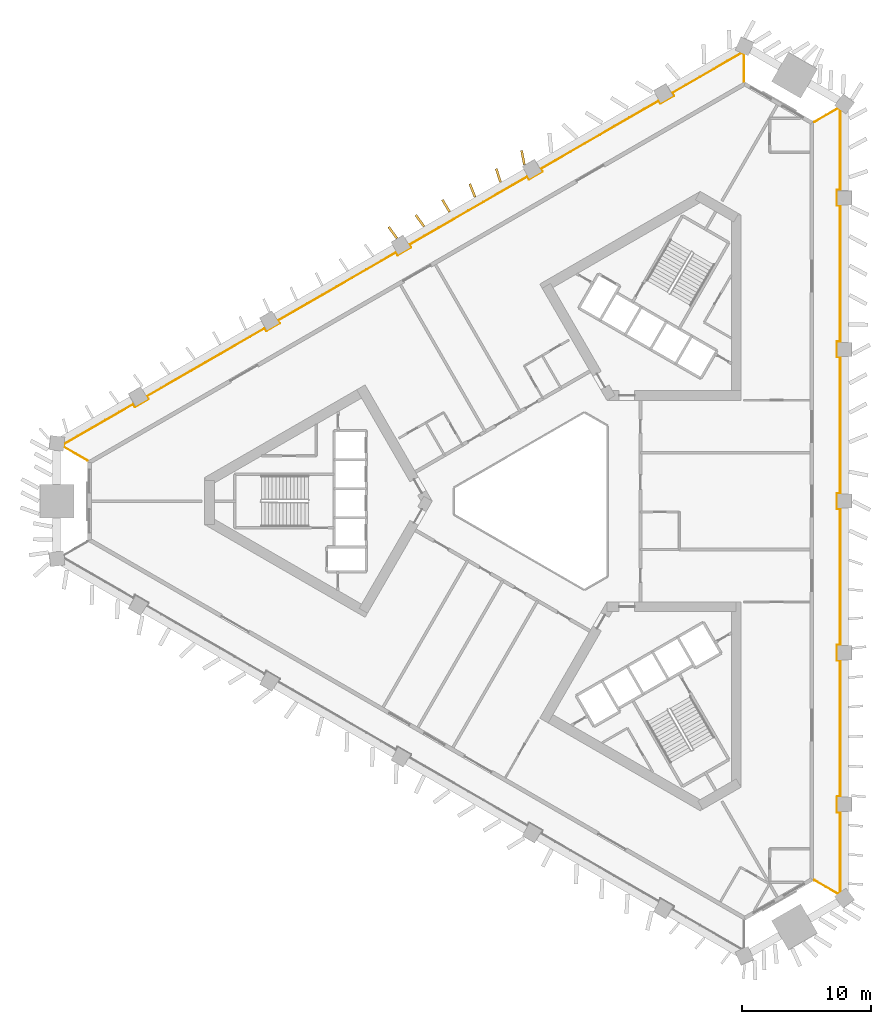
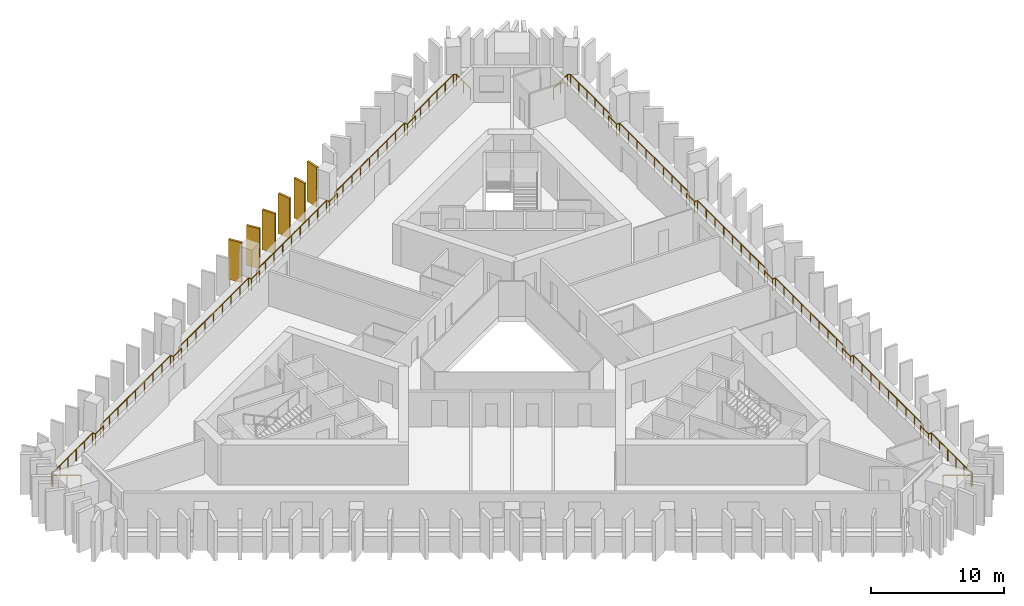
# One storey, part 9 of 10: 6 shading devices, 2 railings.
"""IFC4 building model written with IfcOpenShell, lengths in metres."""

from ifc_helpers import new_model, si_unit, direction, frame, frame_2d, origin, origin_2d, place, context, subcontext, project, spatial, rectangle, circle, extrude, material, layer, layer_set, type_object, element, save


model = new_model("IFC4")

# Units and contexts
model_context = context("Model", 3, precision=1e-05, world=origin(), true_north=direction((0.0, 1.0)))
body_context = subcontext(model_context, "Body", "Model", "MODEL_VIEW")
ifc_project = project(units=[si_unit("LENGTHUNIT", "METRE"), si_unit("AREAUNIT", "SQUARE_METRE"), si_unit("VOLUMEUNIT", "CUBIC_METRE"), si_unit("PLANEANGLEUNIT", "RADIAN"), si_unit("MASSUNIT", "GRAM", prefix="KILO")], contexts=[model_context])

# Site, building, storey
site_placement = place(None, origin())
site = spatial("IfcSite", under=ifc_project, at=site_placement, CompositionType="ELEMENT")
building_placement = place(site_placement, origin())
building = spatial("IfcBuilding", under=site, at=building_placement, Name="Jabali Bay Hotel Tower and Convention Centre", CompositionType="ELEMENT")
storey_placement = place(building_placement, frame((0.0, 0.0, 86.89990234375)))
storey = spatial("IfcBuildingStorey", under=building, at=storey_placement, Name="L20", CompositionType="ELEMENT", Elevation=86.89990234375)

# Railings
ifc_material_1 = material(Name="Glass", Category="glass")
railing_type = type_object("IfcRailingType", Name="Loggia glass guard 1100", PredefinedType="BALUSTRADE", material=ifc_material_1)
railing_1_placement = place(storey_placement, frame((95.55126953125, 109.31884765625, 0.0)))
element("IfcRailing", 1, at=railing_1_placement, inside=storey, type_object=railing_type, Name="Loggia glass guard L20", PredefinedType="BALUSTRADE", context=body_context, shape_type="SweptSolid", body=[
    extrude(circle(Radius=0.02490234375, at=origin_2d()), frame((0.0, 0.0, 1.0751953125), z_axis=(0.86605653045, 0.499946083158, 0.0), x_axis=(-0.495668975111, 0.858647296774, 0.13052619222)), (0.0, 0.0, 1.0), 2.110595703125),
    extrude(circle(Radius=0.02490234375, at=origin_2d()), frame((1.827880859375, 1.05517578125, 1.0751953125), z_axis=(0.80204311034, -0.597266145998, 0.0), x_axis=(0.592156451322, 0.795181520347, 0.13052619222)), (0.0, 0.0, 1.0), 0.214599609375),
    extrude(circle(Radius=0.02490234375, at=origin_2d()), frame((2.0, 0.927001953125, 1.0751953125), z_axis=(0.0, -1.0, 0.0), x_axis=(0.991444861374, 0.0, 0.13052619222)), (0.0, 0.0, 1.0), 6.179443359375),
    extrude(circle(Radius=0.02490234375, at=origin_2d()), frame((2.0, -5.25244140625, 1.0751953125), z_axis=(-1.0, 0.0, 0.0), x_axis=(0.0, -0.991444861374, 0.13052619222)), (0.0, 0.0, 1.0), 0.25),
    extrude(circle(Radius=0.02490234375, at=origin_2d()), frame((1.75, -5.25244140625, 1.0751953125), z_axis=(0.0, -1.0, 0.0), x_axis=(0.991444861374, 0.0, 0.13052619222)), (0.0, 0.0, 1.0), 1.199951171875),
    extrude(circle(Radius=0.02490234375, at=origin_2d()), frame((1.75, -6.452392578125, 1.0751953125), z_axis=(1.0, 0.0, 0.0), x_axis=(0.0, 0.991444861374, 0.13052619222)), (0.0, 0.0, 1.0), 0.25),
    extrude(circle(Radius=0.02490234375, at=origin_2d()), frame((2.0, -6.452392578125, 1.0751953125), z_axis=(0.0, -1.0, 0.0), x_axis=(0.991444861374, 0.0, 0.13052619222)), (0.0, 0.0, 1.0), 10.533203125),
    extrude(circle(Radius=0.02490234375, at=origin_2d()), frame((2.0, -16.985595703125, 1.0751953125), z_axis=(-1.0, 0.0, 0.0), x_axis=(0.0, -0.991444861374, 0.13052619222)), (0.0, 0.0, 1.0), 0.25),
    extrude(circle(Radius=0.02490234375, at=origin_2d()), frame((1.75, -16.985595703125, 1.0751953125), z_axis=(0.0, -1.0, 0.0), x_axis=(0.991444861374, 0.0, 0.13052619222)), (0.0, 0.0, 1.0), 1.199951171875),
    extrude(circle(Radius=0.02490234375, at=origin_2d()), frame((1.75, -18.185546875, 1.0751953125), z_axis=(1.0, 0.0, 0.0), x_axis=(0.0, 0.991444861374, 0.13052619222)), (0.0, 0.0, 1.0), 0.25),
    extrude(circle(Radius=0.02490234375, at=origin_2d()), frame((2.0, -18.185546875, 1.0751953125), z_axis=(0.0, -1.0, 0.0), x_axis=(0.991444861374, 0.0, 0.13052619222)), (0.0, 0.0, 1.0), 10.533203125),
    extrude(circle(Radius=0.02490234375, at=origin_2d()), frame((2.0, -28.71875, 1.0751953125), z_axis=(-1.0, 0.0, 0.0), x_axis=(0.0, -0.991444861374, 0.13052619222)), (0.0, 0.0, 1.0), 0.25),
    extrude(circle(Radius=0.02490234375, at=origin_2d()), frame((1.75, -28.71875, 1.0751953125), z_axis=(0.0, -1.0, 0.0), x_axis=(0.991444861374, 0.0, 0.13052619222)), (0.0, 0.0, 1.0), 1.2001953125),
    extrude(circle(Radius=0.02490234375, at=origin_2d()), frame((1.75, -29.9189453125, 1.0751953125), z_axis=(1.0, 0.0, 0.0), x_axis=(0.0, 0.991444861374, 0.13052619222)), (0.0, 0.0, 1.0), 0.25),
    extrude(circle(Radius=0.02490234375, at=origin_2d()), frame((2.0, -29.9189453125, 1.0751953125), z_axis=(0.0, -1.0, 0.0), x_axis=(0.991444861374, 0.0, 0.13052619222)), (0.0, 0.0, 1.0), 10.533203125),
    extrude(circle(Radius=0.02490234375, at=origin_2d()), frame((2.0, -40.4521484375, 1.0751953125), z_axis=(-1.0, 0.0, 0.0), x_axis=(0.0, -0.991444861374, 0.13052619222)), (0.0, 0.0, 1.0), 0.25),
    extrude(circle(Radius=0.02490234375, at=origin_2d()), frame((1.75, -40.4521484375, 1.0751953125), z_axis=(0.0, -1.0, 0.0), x_axis=(0.991444861374, 0.0, 0.13052619222)), (0.0, 0.0, 1.0), 1.199951171875),
    extrude(circle(Radius=0.02490234375, at=origin_2d()), frame((1.75, -41.652099609375, 1.0751953125), z_axis=(1.0, 0.0, 0.0), x_axis=(0.0, 0.991444861374, 0.13052619222)), (0.0, 0.0, 1.0), 0.25),
    extrude(circle(Radius=0.02490234375, at=origin_2d()), frame((2.0, -41.652099609375, 1.0751953125), z_axis=(0.0, -1.0, 0.0), x_axis=(0.991444861374, 0.0, 0.13052619222)), (0.0, 0.0, 1.0), 10.533203125),
    extrude(circle(Radius=0.02490234375, at=origin_2d()), frame((2.0, -52.185302734375, 1.0751953125), z_axis=(-1.0, 0.0, 0.0), x_axis=(0.0, -0.991444861374, 0.13052619222)), (0.0, 0.0, 1.0), 0.25),
    extrude(circle(Radius=0.02490234375, at=origin_2d()), frame((1.75, -52.185302734375, 1.0751953125), z_axis=(0.0, -1.0, 0.0), x_axis=(0.991444861374, 0.0, 0.13052619222)), (0.0, 0.0, 1.0), 1.199951171875),
    extrude(circle(Radius=0.02490234375, at=origin_2d()), frame((1.75, -53.38525390625, 1.0751953125), z_axis=(1.0, 0.0, 0.0), x_axis=(0.0, 0.991444861374, 0.13052619222)), (0.0, 0.0, 1.0), 0.25),
    extrude(circle(Radius=0.02490234375, at=origin_2d()), frame((2.0, -53.38525390625, 1.0751953125), z_axis=(0.0, -1.0, 0.0), x_axis=(0.991444861374, 0.0, 0.13052619222)), (0.0, 0.0, 1.0), 6.179443359375),
    extrude(circle(Radius=0.02490234375, at=origin_2d()), frame((2.0, -59.564697265625, 1.0751953125), z_axis=(-0.80204311034, -0.597266145998, 0.0), x_axis=(0.592156451322, -0.795181520347, 0.13052619222)), (0.0, 0.0, 1.0), 0.214599609375),
    extrude(circle(Radius=0.02490234375, at=origin_2d()), frame((1.827880859375, -59.69287109375, 1.0751953125), z_axis=(-0.86605653045, 0.499946083158, 0.0), x_axis=(-0.495668975111, -0.858647296774, 0.13052619222)), (0.0, 0.0, 1.0), 2.110595703125),
    extrude(circle(Radius=0.02001953125, at=origin_2d()), origin(), (0.0, 0.0, 1.0), 1.050048828125),
    extrude(circle(Radius=0.02001953125, at=origin_2d()), frame((0.9140625, 0.527587890625, 0.0)), (0.0, 0.0, 1.0), 1.050048828125),
    extrude(circle(Radius=0.02001953125, at=origin_2d()), frame((1.827880859375, 1.05517578125, 0.0)), (0.0, 0.0, 1.0), 1.050048828125),
    extrude(circle(Radius=0.02001953125, at=origin_2d()), frame((2.0, 0.927001953125, 0.0)), (0.0, 0.0, 1.0), 1.050048828125),
    extrude(circle(Radius=0.02001953125, at=origin_2d()), frame((2.0, -0.308837890625, 0.0)), (0.0, 0.0, 1.0), 1.050048828125),
    extrude(circle(Radius=0.02001953125, at=origin_2d()), frame((2.0, -1.544677734375, 0.0)), (0.0, 0.0, 1.0), 1.050048828125),
    extrude(circle(Radius=0.02001953125, at=origin_2d()), frame((2.0, -2.78076171875, 0.0)), (0.0, 0.0, 1.0), 1.050048828125),
    extrude(circle(Radius=0.02001953125, at=origin_2d()), frame((2.0, -4.0166015625, 0.0)), (0.0, 0.0, 1.0), 1.050048828125),
    extrude(circle(Radius=0.02001953125, at=origin_2d()), frame((2.0, -5.25244140625, 0.0)), (0.0, 0.0, 1.0), 1.050048828125),
    extrude(circle(Radius=0.02001953125, at=origin_2d()), frame((1.75, -5.25244140625, 0.0)), (0.0, 0.0, 1.0), 1.050048828125),
    extrude(circle(Radius=0.02001953125, at=origin_2d()), frame((1.75, -6.452392578125, 0.0)), (0.0, 0.0, 1.0), 1.050048828125),
    extrude(circle(Radius=0.02001953125, at=origin_2d()), frame((2.0, -6.452392578125, 0.0)), (0.0, 0.0, 1.0), 1.050048828125),
    extrude(circle(Radius=0.02001953125, at=origin_2d()), frame((2.0, -7.76904296875, 0.0)), (0.0, 0.0, 1.0), 1.050048828125),
    extrude(circle(Radius=0.02001953125, at=origin_2d()), frame((2.0, -9.085693359375, 0.0)), (0.0, 0.0, 1.0), 1.050048828125),
    extrude(circle(Radius=0.02001953125, at=origin_2d()), frame((2.0, -10.40234375, 0.0)), (0.0, 0.0, 1.0), 1.050048828125),
    extrude(circle(Radius=0.02001953125, at=origin_2d()), frame((2.0, -11.718994140625, 0.0)), (0.0, 0.0, 1.0), 1.050048828125),
    extrude(circle(Radius=0.02001953125, at=origin_2d()), frame((2.0, -13.03564453125, 0.0)), (0.0, 0.0, 1.0), 1.050048828125),
    extrude(circle(Radius=0.02001953125, at=origin_2d()), frame((2.0, -14.352294921875, 0.0)), (0.0, 0.0, 1.0), 1.050048828125),
    extrude(circle(Radius=0.02001953125, at=origin_2d()), frame((2.0, -15.6689453125, 0.0)), (0.0, 0.0, 1.0), 1.050048828125),
    extrude(circle(Radius=0.02001953125, at=origin_2d()), frame((2.0, -16.985595703125, 0.0)), (0.0, 0.0, 1.0), 1.050048828125),
    extrude(circle(Radius=0.02001953125, at=origin_2d()), frame((1.75, -16.985595703125, 0.0)), (0.0, 0.0, 1.0), 1.050048828125),
    extrude(circle(Radius=0.02001953125, at=origin_2d()), frame((1.75, -18.185546875, 0.0)), (0.0, 0.0, 1.0), 1.050048828125),
    extrude(circle(Radius=0.02001953125, at=origin_2d()), frame((2.0, -18.185546875, 0.0)), (0.0, 0.0, 1.0), 1.050048828125),
    extrude(circle(Radius=0.02001953125, at=origin_2d()), frame((2.0, -19.502197265625, 0.0)), (0.0, 0.0, 1.0), 1.050048828125),
    extrude(circle(Radius=0.02001953125, at=origin_2d()), frame((2.0, -20.81884765625, 0.0)), (0.0, 0.0, 1.0), 1.050048828125),
    extrude(circle(Radius=0.02001953125, at=origin_2d()), frame((2.0, -22.135498046875, 0.0)), (0.0, 0.0, 1.0), 1.050048828125),
    extrude(circle(Radius=0.02001953125, at=origin_2d()), frame((2.0, -23.4521484375, 0.0)), (0.0, 0.0, 1.0), 1.050048828125),
    extrude(circle(Radius=0.02001953125, at=origin_2d()), frame((2.0, -24.768798828125, 0.0)), (0.0, 0.0, 1.0), 1.050048828125),
    extrude(circle(Radius=0.02001953125, at=origin_2d()), frame((2.0, -26.08544921875, 0.0)), (0.0, 0.0, 1.0), 1.050048828125),
    extrude(circle(Radius=0.02001953125, at=origin_2d()), frame((2.0, -27.402099609375, 0.0)), (0.0, 0.0, 1.0), 1.050048828125),
    extrude(circle(Radius=0.02001953125, at=origin_2d()), frame((2.0, -28.71875, 0.0)), (0.0, 0.0, 1.0), 1.050048828125),
    extrude(circle(Radius=0.02001953125, at=origin_2d()), frame((1.75, -28.71875, 0.0)), (0.0, 0.0, 1.0), 1.050048828125),
    extrude(circle(Radius=0.02001953125, at=origin_2d()), frame((1.75, -29.9189453125, 0.0)), (0.0, 0.0, 1.0), 1.050048828125),
    extrude(circle(Radius=0.02001953125, at=origin_2d()), frame((2.0, -29.9189453125, 0.0)), (0.0, 0.0, 1.0), 1.050048828125),
    extrude(circle(Radius=0.02001953125, at=origin_2d()), frame((2.0, -31.235595703125, 0.0)), (0.0, 0.0, 1.0), 1.050048828125),
    extrude(circle(Radius=0.02001953125, at=origin_2d()), frame((2.0, -32.55224609375, 0.0)), (0.0, 0.0, 1.0), 1.050048828125),
    extrude(circle(Radius=0.02001953125, at=origin_2d()), frame((2.0, -33.868896484375, 0.0)), (0.0, 0.0, 1.0), 1.050048828125),
    extrude(circle(Radius=0.02001953125, at=origin_2d()), frame((2.0, -35.185546875, 0.0)), (0.0, 0.0, 1.0), 1.050048828125),
    extrude(circle(Radius=0.02001953125, at=origin_2d()), frame((2.0, -36.502197265625, 0.0)), (0.0, 0.0, 1.0), 1.050048828125),
    extrude(circle(Radius=0.02001953125, at=origin_2d()), frame((2.0, -37.81884765625, 0.0)), (0.0, 0.0, 1.0), 1.050048828125),
    extrude(circle(Radius=0.02001953125, at=origin_2d()), frame((2.0, -39.135498046875, 0.0)), (0.0, 0.0, 1.0), 1.050048828125),
    extrude(circle(Radius=0.02001953125, at=origin_2d()), frame((2.0, -40.4521484375, 0.0)), (0.0, 0.0, 1.0), 1.050048828125),
    extrude(circle(Radius=0.02001953125, at=origin_2d()), frame((1.75, -40.4521484375, 0.0)), (0.0, 0.0, 1.0), 1.050048828125),
    extrude(circle(Radius=0.02001953125, at=origin_2d()), frame((1.75, -41.652099609375, 0.0)), (0.0, 0.0, 1.0), 1.050048828125),
    extrude(circle(Radius=0.02001953125, at=origin_2d()), frame((2.0, -41.652099609375, 0.0)), (0.0, 0.0, 1.0), 1.050048828125),
    extrude(circle(Radius=0.02001953125, at=origin_2d()), frame((2.0, -42.96875, 0.0)), (0.0, 0.0, 1.0), 1.050048828125),
    extrude(circle(Radius=0.02001953125, at=origin_2d()), frame((2.0, -44.285400390625, 0.0)), (0.0, 0.0, 1.0), 1.050048828125),
    extrude(circle(Radius=0.02001953125, at=origin_2d()), frame((2.0, -45.60205078125, 0.0)), (0.0, 0.0, 1.0), 1.050048828125),
    extrude(circle(Radius=0.02001953125, at=origin_2d()), frame((2.0, -46.918701171875, 0.0)), (0.0, 0.0, 1.0), 1.050048828125),
    extrude(circle(Radius=0.02001953125, at=origin_2d()), frame((2.0, -48.2353515625, 0.0)), (0.0, 0.0, 1.0), 1.050048828125),
    extrude(circle(Radius=0.02001953125, at=origin_2d()), frame((2.0, -49.552001953125, 0.0)), (0.0, 0.0, 1.0), 1.050048828125),
    extrude(circle(Radius=0.02001953125, at=origin_2d()), frame((2.0, -50.86865234375, 0.0)), (0.0, 0.0, 1.0), 1.050048828125),
    extrude(circle(Radius=0.02001953125, at=origin_2d()), frame((2.0, -52.185302734375, 0.0)), (0.0, 0.0, 1.0), 1.050048828125),
    extrude(circle(Radius=0.02001953125, at=origin_2d()), frame((1.75, -52.185302734375, 0.0)), (0.0, 0.0, 1.0), 1.050048828125),
    extrude(circle(Radius=0.02001953125, at=origin_2d()), frame((1.75, -53.38525390625, 0.0)), (0.0, 0.0, 1.0), 1.050048828125),
    extrude(circle(Radius=0.02001953125, at=origin_2d()), frame((2.0, -53.38525390625, 0.0)), (0.0, 0.0, 1.0), 1.050048828125),
    extrude(circle(Radius=0.02001953125, at=origin_2d()), frame((2.0, -54.62109375, 0.0)), (0.0, 0.0, 1.0), 1.050048828125),
    extrude(circle(Radius=0.02001953125, at=origin_2d()), frame((2.0, -55.85693359375, 0.0)), (0.0, 0.0, 1.0), 1.050048828125),
    extrude(circle(Radius=0.02001953125, at=origin_2d()), frame((2.0, -57.093017578125, 0.0)), (0.0, 0.0, 1.0), 1.050048828125),
    extrude(circle(Radius=0.02001953125, at=origin_2d()), frame((2.0, -58.328857421875, 0.0)), (0.0, 0.0, 1.0), 1.050048828125),
    extrude(circle(Radius=0.02001953125, at=origin_2d()), frame((2.0, -59.564697265625, 0.0)), (0.0, 0.0, 1.0), 1.050048828125),
    extrude(circle(Radius=0.02001953125, at=origin_2d()), frame((1.827880859375, -59.69287109375, 0.0)), (0.0, 0.0, 1.0), 1.050048828125),
    extrude(circle(Radius=0.02001953125, at=origin_2d()), frame((0.9140625, -59.165283203125, 0.0)), (0.0, 0.0, 1.0), 1.050048828125),
    extrude(circle(Radius=0.02001953125, at=origin_2d()), frame((0.0, -58.6376953125, 0.0)), (0.0, 0.0, 1.0), 1.050048828125),
])
railing_2_placement = place(storey_placement, frame((39.33349609375, 83.138427734375, 0.0)))
element("IfcRailing", 2, at=railing_2_placement, inside=storey, type_object=railing_type, Name="Loggia glass guard L20", PredefinedType="BALUSTRADE", context=body_context, shape_type="SweptSolid", body=[
    extrude(circle(Radius=0.02490234375, at=origin_2d()), frame((0.0, 0.0, 1.0751953125), z_axis=(-0.866006443985, 0.500032837899, 0.0), x_axis=(-0.495754987653, -0.858597638805, 0.13052619222)), (0.0, 0.0, 1.0), 2.110595703125),
    extrude(circle(Radius=0.02490234375, at=origin_2d()), frame((-1.827880859375, 1.055419921875, 1.0751953125), z_axis=(0.117171257249, 0.993111724065, 0.0), x_axis=(-0.984615515594, 0.116168840901, 0.13052619222)), (0.0, 0.0, 1.0), 0.214599609375),
    extrude(circle(Radius=0.02490234375, at=origin_2d()), frame((-1.802734375, 1.2685546875, 1.0751953125), z_axis=(0.866007278059, 0.500031393363, 0.0), x_axis=(-0.495753555475, 0.858598465744, 0.13052619222)), (0.0, 0.0, 1.0), 6.17919921875),
    extrude(circle(Radius=0.02490234375, at=origin_2d()), frame((3.548583984375, 4.3583984375, 1.0751953125), z_axis=(0.499919672301, -0.866071776036, 0.0), x_axis=(0.858662411932, 0.495642790202, 0.13052619222)), (0.0, 0.0, 1.0), 0.25),
    extrude(circle(Radius=0.02490234375, at=origin_2d()), frame((3.673583984375, 4.141845703125, 1.0751953125), z_axis=(0.866094119867, 0.499880961361, 0.0), x_axis=(-0.49560441044, 0.858684564609, 0.13052619222)), (0.0, 0.0, 1.0), 1.199951171875),
    extrude(circle(Radius=0.02490234375, at=origin_2d()), frame((4.712890625, 4.74169921875, 1.0751953125), z_axis=(-0.499919672301, 0.866071776036, 0.0), x_axis=(-0.858662411932, -0.495642790202, 0.13052619222)), (0.0, 0.0, 1.0), 0.25),
    extrude(circle(Radius=0.02490234375, at=origin_2d()), frame((4.587890625, 4.958251953125, 1.0751953125), z_axis=(0.866026562566, 0.499997992926, 0.0), x_axis=(-0.495720440783, 0.858617585269, 0.13052619222)), (0.0, 0.0, 1.0), 10.533203125),
    extrude(circle(Radius=0.02490234375, at=origin_2d()), frame((13.7099609375, 10.224853515625, 1.0751953125), z_axis=(0.499919672301, -0.866071776036, 0.0), x_axis=(0.858662411932, 0.495642790202, 0.13052619222)), (0.0, 0.0, 1.0), 0.25),
    extrude(circle(Radius=0.02490234375, at=origin_2d()), frame((13.8349609375, 10.00830078125, 1.0751953125), z_axis=(0.866006032174, 0.500033551112, 0.0), x_axis=(-0.495755694765, 0.858597230518, 0.13052619222)), (0.0, 0.0, 1.0), 1.2001953125),
    extrude(circle(Radius=0.02490234375, at=origin_2d()), frame((14.874267578125, 10.6083984375, 1.0751953125), z_axis=(-0.499919672301, 0.866071776036, 0.0), x_axis=(-0.858662411932, -0.495642790202, 0.13052619222)), (0.0, 0.0, 1.0), 0.25),
    extrude(circle(Radius=0.02490234375, at=origin_2d()), frame((14.749267578125, 10.824951171875, 1.0751953125), z_axis=(0.866026562566, 0.499997992926, 0.0), x_axis=(-0.495720440783, 0.858617585269, 0.13052619222)), (0.0, 0.0, 1.0), 10.533203125),
    extrude(circle(Radius=0.02490234375, at=origin_2d()), frame((23.871337890625, 16.091552734375, 1.0751953125), z_axis=(0.499919672301, -0.866071776036, 0.0), x_axis=(0.858662411932, 0.495642790202, 0.13052619222)), (0.0, 0.0, 1.0), 0.25),
    extrude(circle(Radius=0.02490234375, at=origin_2d()), frame((23.996337890625, 15.875, 1.0751953125), z_axis=(0.865955154139, 0.50012165622, 0.0), x_axis=(-0.495843046121, 0.858546787751, 0.13052619222)), (0.0, 0.0, 1.0), 1.199951171875),
    extrude(circle(Radius=0.02490234375, at=origin_2d()), frame((25.035400390625, 16.47509765625, 1.0751953125), z_axis=(-0.500342721131, 0.865827443207, 0.0), x_axis=(-0.858420169404, -0.496062219791, 0.13052619222)), (0.0, 0.0, 1.0), 0.249755859375),
    extrude(circle(Radius=0.02490234375, at=origin_2d()), frame((24.910400390625, 16.69140625, 1.0751953125), z_axis=(0.866016526123, 0.500015376246, 0.0), x_axis=(-0.495737675387, 0.858607634689, 0.13052619222)), (0.0, 0.0, 1.0), 10.533447265625),
    extrude(circle(Radius=0.02490234375, at=origin_2d()), frame((34.032470703125, 21.958251953125, 1.0751953125), z_axis=(0.499919672301, -0.866071776036, 0.0), x_axis=(0.858662411932, 0.495642790202, 0.13052619222)), (0.0, 0.0, 1.0), 0.25),
    extrude(circle(Radius=0.02490234375, at=origin_2d()), frame((34.157470703125, 21.74169921875, 1.0751953125), z_axis=(0.866094119867, 0.499880961361, 0.0), x_axis=(-0.49560441044, 0.858684564609, 0.13052619222)), (0.0, 0.0, 1.0), 1.199951171875),
    extrude(circle(Radius=0.02490234375, at=origin_2d()), frame((35.19677734375, 22.341552734375, 1.0751953125), z_axis=(-0.499919672301, 0.866071776036, 0.0), x_axis=(-0.858662411932, -0.495642790202, 0.13052619222)), (0.0, 0.0, 1.0), 0.25),
    extrude(circle(Radius=0.02490234375, at=origin_2d()), frame((35.07177734375, 22.55810546875, 1.0751953125), z_axis=(0.866026562566, 0.499997992926, 0.0), x_axis=(-0.495720440783, 0.858617585269, 0.13052619222)), (0.0, 0.0, 1.0), 10.533203125),
    extrude(circle(Radius=0.02490234375, at=origin_2d()), frame((44.19384765625, 27.82470703125, 1.0751953125), z_axis=(0.499919672301, -0.866071776036, 0.0), x_axis=(0.858662411932, 0.495642790202, 0.13052619222)), (0.0, 0.0, 1.0), 0.25),
    extrude(circle(Radius=0.02490234375, at=origin_2d()), frame((44.31884765625, 27.608154296875, 1.0751953125), z_axis=(0.866006032174, 0.500033551112, 0.0), x_axis=(-0.495755694765, 0.858597230518, 0.13052619222)), (0.0, 0.0, 1.0), 1.2001953125),
    extrude(circle(Radius=0.02490234375, at=origin_2d()), frame((45.358154296875, 28.208251953125, 1.0751953125), z_axis=(-0.499919672301, 0.866071776036, 0.0), x_axis=(-0.858662411932, -0.495642790202, 0.13052619222)), (0.0, 0.0, 1.0), 0.25),
    extrude(circle(Radius=0.02490234375, at=origin_2d()), frame((45.233154296875, 28.4248046875, 1.0751953125), z_axis=(0.866024386693, 0.50000176165, 0.0), x_axis=(-0.495724177266, 0.858615428011, 0.13052619222)), (0.0, 0.0, 1.0), 6.17919921875),
    extrude(circle(Radius=0.02490234375, at=origin_2d()), frame((50.58447265625, 31.514404296875, 1.0751953125), z_axis=(0.918438029816, -0.395564894029, 0.0), x_axis=(0.392180781525, 0.910580665151, 0.13052619222)), (0.0, 0.0, 1.0), 0.21484375),
    extrude(circle(Radius=0.02490234375, at=origin_2d()), frame((50.78173828125, 31.429443359375, 1.0751953125), z_axis=(0.0, -1.0, 0.0), x_axis=(0.991444861374, 0.0, 0.13052619222)), (0.0, 0.0, 1.0), 2.110595703125),
    extrude(circle(Radius=0.02001953125, at=origin_2d()), origin(), (0.0, 0.0, 1.0), 1.050048828125),
    extrude(circle(Radius=0.02001953125, at=origin_2d()), frame((-0.9140625, 0.52783203125, 0.0)), (0.0, 0.0, 1.0), 1.050048828125),
    extrude(circle(Radius=0.02001953125, at=origin_2d()), frame((-1.827880859375, 1.055419921875, 0.0)), (0.0, 0.0, 1.0), 1.050048828125),
    extrude(circle(Radius=0.02001953125, at=origin_2d()), frame((-1.802734375, 1.2685546875, 0.0)), (0.0, 0.0, 1.0), 1.050048828125),
    extrude(circle(Radius=0.02001953125, at=origin_2d()), frame((-0.732421875, 1.886474609375, 0.0)), (0.0, 0.0, 1.0), 1.050048828125),
    extrude(circle(Radius=0.02001953125, at=origin_2d()), frame((0.337890625, 2.50439453125, 0.0)), (0.0, 0.0, 1.0), 1.050048828125),
    extrude(circle(Radius=0.02001953125, at=origin_2d()), frame((1.407958984375, 3.12255859375, 0.0)), (0.0, 0.0, 1.0), 1.050048828125),
    extrude(circle(Radius=0.02001953125, at=origin_2d()), frame((2.478271484375, 3.740478515625, 0.0)), (0.0, 0.0, 1.0), 1.050048828125),
    extrude(circle(Radius=0.02001953125, at=origin_2d()), frame((3.548583984375, 4.3583984375, 0.0)), (0.0, 0.0, 1.0), 1.050048828125),
    extrude(circle(Radius=0.02001953125, at=origin_2d()), frame((3.673583984375, 4.141845703125, 0.0)), (0.0, 0.0, 1.0), 1.050048828125),
    extrude(circle(Radius=0.02001953125, at=origin_2d()), frame((4.712890625, 4.74169921875, 0.0)), (0.0, 0.0, 1.0), 1.050048828125),
    extrude(circle(Radius=0.02001953125, at=origin_2d()), frame((4.587890625, 4.958251953125, 0.0)), (0.0, 0.0, 1.0), 1.050048828125),
    extrude(circle(Radius=0.02001953125, at=origin_2d()), frame((5.72802734375, 5.61669921875, 0.0)), (0.0, 0.0, 1.0), 1.050048828125),
    extrude(circle(Radius=0.02001953125, at=origin_2d()), frame((6.868408203125, 6.27490234375, 0.0)), (0.0, 0.0, 1.0), 1.050048828125),
    extrude(circle(Radius=0.02001953125, at=origin_2d()), frame((8.0087890625, 6.93310546875, 0.0)), (0.0, 0.0, 1.0), 1.050048828125),
    extrude(circle(Radius=0.02001953125, at=origin_2d()), frame((9.14892578125, 7.591552734375, 0.0)), (0.0, 0.0, 1.0), 1.050048828125),
    extrude(circle(Radius=0.02001953125, at=origin_2d()), frame((10.2890625, 8.25, 0.0)), (0.0, 0.0, 1.0), 1.050048828125),
    extrude(circle(Radius=0.02001953125, at=origin_2d()), frame((11.429443359375, 8.908203125, 0.0)), (0.0, 0.0, 1.0), 1.050048828125),
    extrude(circle(Radius=0.02001953125, at=origin_2d()), frame((12.56982421875, 9.56640625, 0.0)), (0.0, 0.0, 1.0), 1.050048828125),
    extrude(circle(Radius=0.02001953125, at=origin_2d()), frame((13.7099609375, 10.224853515625, 0.0)), (0.0, 0.0, 1.0), 1.050048828125),
    extrude(circle(Radius=0.02001953125, at=origin_2d()), frame((13.8349609375, 10.00830078125, 0.0)), (0.0, 0.0, 1.0), 1.050048828125),
    extrude(circle(Radius=0.02001953125, at=origin_2d()), frame((14.874267578125, 10.6083984375, 0.0)), (0.0, 0.0, 1.0), 1.050048828125),
    extrude(circle(Radius=0.02001953125, at=origin_2d()), frame((14.749267578125, 10.824951171875, 0.0)), (0.0, 0.0, 1.0), 1.050048828125),
    extrude(circle(Radius=0.02001953125, at=origin_2d()), frame((15.8896484375, 11.4833984375, 0.0)), (0.0, 0.0, 1.0), 1.050048828125),
    extrude(circle(Radius=0.02001953125, at=origin_2d()), frame((17.02978515625, 12.1416015625, 0.0)), (0.0, 0.0, 1.0), 1.050048828125),
    extrude(circle(Radius=0.02001953125, at=origin_2d()), frame((18.169921875, 12.7998046875, 0.0)), (0.0, 0.0, 1.0), 1.050048828125),
    extrude(circle(Radius=0.02001953125, at=origin_2d()), frame((19.310302734375, 13.458251953125, 0.0)), (0.0, 0.0, 1.0), 1.050048828125),
    extrude(circle(Radius=0.02001953125, at=origin_2d()), frame((20.45068359375, 14.11669921875, 0.0)), (0.0, 0.0, 1.0), 1.050048828125),
    extrude(circle(Radius=0.02001953125, at=origin_2d()), frame((21.5908203125, 14.77490234375, 0.0)), (0.0, 0.0, 1.0), 1.050048828125),
    extrude(circle(Radius=0.02001953125, at=origin_2d()), frame((22.73095703125, 15.43310546875, 0.0)), (0.0, 0.0, 1.0), 1.050048828125),
    extrude(circle(Radius=0.02001953125, at=origin_2d()), frame((23.871337890625, 16.091552734375, 0.0)), (0.0, 0.0, 1.0), 1.050048828125),
    extrude(circle(Radius=0.02001953125, at=origin_2d()), frame((23.996337890625, 15.875, 0.0)), (0.0, 0.0, 1.0), 1.050048828125),
    extrude(circle(Radius=0.02001953125, at=origin_2d()), frame((25.035400390625, 16.47509765625, 0.0)), (0.0, 0.0, 1.0), 1.050048828125),
    extrude(circle(Radius=0.02001953125, at=origin_2d()), frame((24.910400390625, 16.69140625, 0.0)), (0.0, 0.0, 1.0), 1.050048828125),
    extrude(circle(Radius=0.02001953125, at=origin_2d()), frame((26.05078125, 17.349853515625, 0.0)), (0.0, 0.0, 1.0), 1.050048828125),
    extrude(circle(Radius=0.02001953125, at=origin_2d()), frame((27.19091796875, 18.008056640625, 0.0)), (0.0, 0.0, 1.0), 1.050048828125),
    extrude(circle(Radius=0.02001953125, at=origin_2d()), frame((28.3310546875, 18.66650390625, 0.0)), (0.0, 0.0, 1.0), 1.050048828125),
    extrude(circle(Radius=0.02001953125, at=origin_2d()), frame((29.471435546875, 19.32470703125, 0.0)), (0.0, 0.0, 1.0), 1.050048828125),
    extrude(circle(Radius=0.02001953125, at=origin_2d()), frame((30.61181640625, 19.983154296875, 0.0)), (0.0, 0.0, 1.0), 1.050048828125),
    extrude(circle(Radius=0.02001953125, at=origin_2d()), frame((31.751953125, 20.6416015625, 0.0)), (0.0, 0.0, 1.0), 1.050048828125),
    extrude(circle(Radius=0.02001953125, at=origin_2d()), frame((32.89208984375, 21.2998046875, 0.0)), (0.0, 0.0, 1.0), 1.050048828125),
    extrude(circle(Radius=0.02001953125, at=origin_2d()), frame((34.032470703125, 21.958251953125, 0.0)), (0.0, 0.0, 1.0), 1.050048828125),
    extrude(circle(Radius=0.02001953125, at=origin_2d()), frame((34.157470703125, 21.74169921875, 0.0)), (0.0, 0.0, 1.0), 1.050048828125),
    extrude(circle(Radius=0.02001953125, at=origin_2d()), frame((35.19677734375, 22.341552734375, 0.0)), (0.0, 0.0, 1.0), 1.050048828125),
    extrude(circle(Radius=0.02001953125, at=origin_2d()), frame((35.07177734375, 22.55810546875, 0.0)), (0.0, 0.0, 1.0), 1.050048828125),
    extrude(circle(Radius=0.02001953125, at=origin_2d()), frame((36.2119140625, 23.21630859375, 0.0)), (0.0, 0.0, 1.0), 1.050048828125),
    extrude(circle(Radius=0.02001953125, at=origin_2d()), frame((37.352294921875, 23.874755859375, 0.0)), (0.0, 0.0, 1.0), 1.050048828125),
    extrude(circle(Radius=0.02001953125, at=origin_2d()), frame((38.49267578125, 24.533203125, 0.0)), (0.0, 0.0, 1.0), 1.050048828125),
    extrude(circle(Radius=0.02001953125, at=origin_2d()), frame((39.6328125, 25.19140625, 0.0)), (0.0, 0.0, 1.0), 1.050048828125),
    extrude(circle(Radius=0.02001953125, at=origin_2d()), frame((40.77294921875, 25.849609375, 0.0)), (0.0, 0.0, 1.0), 1.050048828125),
    extrude(circle(Radius=0.02001953125, at=origin_2d()), frame((41.913330078125, 26.508056640625, 0.0)), (0.0, 0.0, 1.0), 1.050048828125),
    extrude(circle(Radius=0.02001953125, at=origin_2d()), frame((43.0537109375, 27.16650390625, 0.0)), (0.0, 0.0, 1.0), 1.050048828125),
    extrude(circle(Radius=0.02001953125, at=origin_2d()), frame((44.19384765625, 27.82470703125, 0.0)), (0.0, 0.0, 1.0), 1.050048828125),
    extrude(circle(Radius=0.02001953125, at=origin_2d()), frame((44.31884765625, 27.608154296875, 0.0)), (0.0, 0.0, 1.0), 1.050048828125),
    extrude(circle(Radius=0.02001953125, at=origin_2d()), frame((45.358154296875, 28.208251953125, 0.0)), (0.0, 0.0, 1.0), 1.050048828125),
    extrude(circle(Radius=0.02001953125, at=origin_2d()), frame((45.233154296875, 28.4248046875, 0.0)), (0.0, 0.0, 1.0), 1.050048828125),
    extrude(circle(Radius=0.02001953125, at=origin_2d()), frame((46.303466796875, 29.042724609375, 0.0)), (0.0, 0.0, 1.0), 1.050048828125),
    extrude(circle(Radius=0.02001953125, at=origin_2d()), frame((47.373779296875, 29.66064453125, 0.0)), (0.0, 0.0, 1.0), 1.050048828125),
    extrude(circle(Radius=0.02001953125, at=origin_2d()), frame((48.44384765625, 30.278564453125, 0.0)), (0.0, 0.0, 1.0), 1.050048828125),
    extrude(circle(Radius=0.02001953125, at=origin_2d()), frame((49.51416015625, 30.896484375, 0.0)), (0.0, 0.0, 1.0), 1.050048828125),
    extrude(circle(Radius=0.02001953125, at=origin_2d()), frame((50.58447265625, 31.514404296875, 0.0)), (0.0, 0.0, 1.0), 1.050048828125),
    extrude(circle(Radius=0.02001953125, at=origin_2d()), frame((50.78173828125, 31.429443359375, 0.0)), (0.0, 0.0, 1.0), 1.050048828125),
    extrude(circle(Radius=0.02001953125, at=origin_2d()), frame((50.78173828125, 30.3740234375, 0.0)), (0.0, 0.0, 1.0), 1.050048828125),
    extrude(circle(Radius=0.02001953125, at=origin_2d()), frame((50.78173828125, 29.31884765625, 0.0)), (0.0, 0.0, 1.0), 1.050048828125),
])

# Shading devices
ifc_material_2 = material(Name="Precast concrete C60", Category="concrete")
ifc_layer = layer(ifc_material_2, 0.179931640625)
ifc_layer_set = layer_set([ifc_layer], Name="Precast concrete C60")
shading_device_type = type_object("IfcShadingDeviceType", Name="Precast fin 3680 x 1100", PredefinedType="USERDEFINED", material=ifc_layer_set)
shading_device_1_placement = place(storey_placement, frame((73.1171875, 106.0263671875, 0.010009765625), z_axis=(0.0, 0.0, 1.0), x_axis=(-0.186459255177, 0.982462694538, 0.0)))
element("IfcShadingDevice", 3, at=shading_device_1_placement, inside=storey, type_object=shading_device_type, Name="Fin L20 044", ObjectType="FIN", PredefinedType="USERDEFINED", context=body_context, shape_type="SweptSolid", body=[
    extrude(rectangle(XDim=1.099853515625, YDim=0.179931640625, at=frame_2d((0.5498046875, 0.0))), origin(), (0.0, 0.0, 1.0), 3.68017578125),
])
shading_device_2_placement = place(storey_placement, frame((71.279541015625, 104.65625, 0.010009765625), z_axis=(0.0, 0.0, 1.0), x_axis=(-0.301407534386, 0.953495410694, 0.0)))
element("IfcShadingDevice", 4, at=shading_device_2_placement, inside=storey, type_object=shading_device_type, Name="Fin L20 045", ObjectType="FIN", PredefinedType="USERDEFINED", context=body_context, shape_type="SweptSolid", body=[
    extrude(rectangle(XDim=1.10009765625, YDim=0.179931640625, at=frame_2d((0.550048828125, 0.0))), origin(), (0.0, 0.0, 1.0), 3.68017578125),
])
shading_device_3_placement = place(storey_placement, frame((69.311279296875, 103.512451171875, 0.010009765625), z_axis=(0.0, 0.0, 1.0), x_axis=(-0.369782834306, 0.929118213928, 0.0)))
element("IfcShadingDevice", 5, at=shading_device_3_placement, inside=storey, type_object=shading_device_type, Name="Fin L20 046", ObjectType="FIN", PredefinedType="USERDEFINED", context=body_context, shape_type="SweptSolid", body=[
    extrude(rectangle(XDim=1.099853515625, YDim=0.179931640625, at=frame_2d((0.5498046875, 0.0))), origin(), (0.0, 0.0, 1.0), 3.68017578125),
])
for number, where, z_axis, x_axis, name in (
    (6, (67.345458984375, 102.364013671875, 0.010009765625), (0.0, 0.0, 1.0), (-0.513581570555, 0.858040774315, 0.0), "Fin L20 047"),
    (7, (65.369873046875, 101.232666015625, 0.010009765625), (0.0, 0.0, 1.0), (-0.588145304304, 0.808755278824, 0.0), "Fin L20 048"),
    (8, (63.269775390625, 100.317138671875, 0.010009765625), (0.0, 0.0, 1.0), (-0.585052876865, 0.810995148735, 0.0), "Fin L20 049"),
):
    element("IfcShadingDevice", number, at=place(storey_placement, frame(where, z_axis=z_axis, x_axis=x_axis)), inside=storey, type_object=shading_device_type, Name=name, ObjectType="FIN", PredefinedType="USERDEFINED", context=body_context, shape_type="SweptSolid", body=[
        extrude(rectangle(XDim=1.10009765625, YDim=0.179931640625, at=frame_2d((0.550048828125, 0.0))), origin(), (0.0, 0.0, 1.0), 3.68017578125),
    ])

save(model, "model.ifc")
